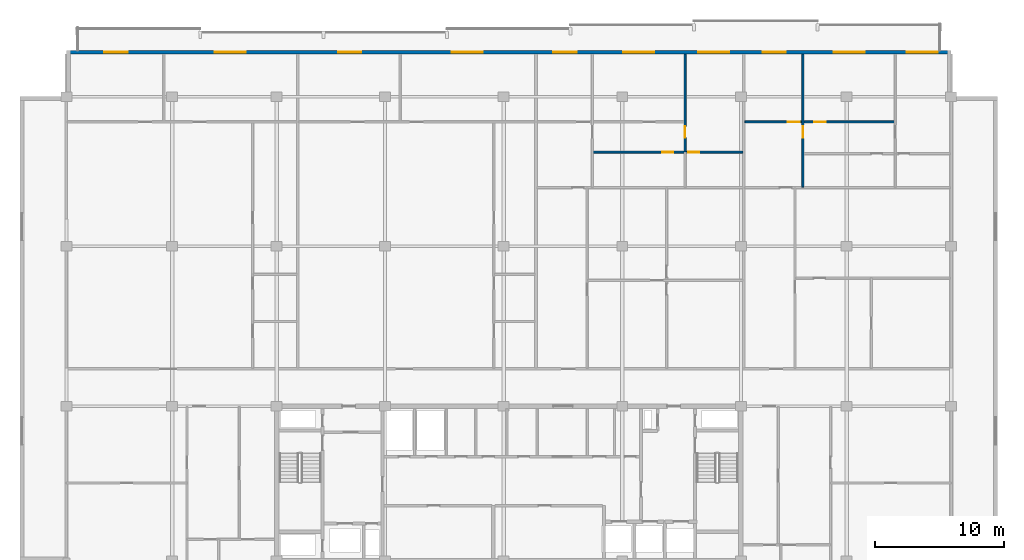
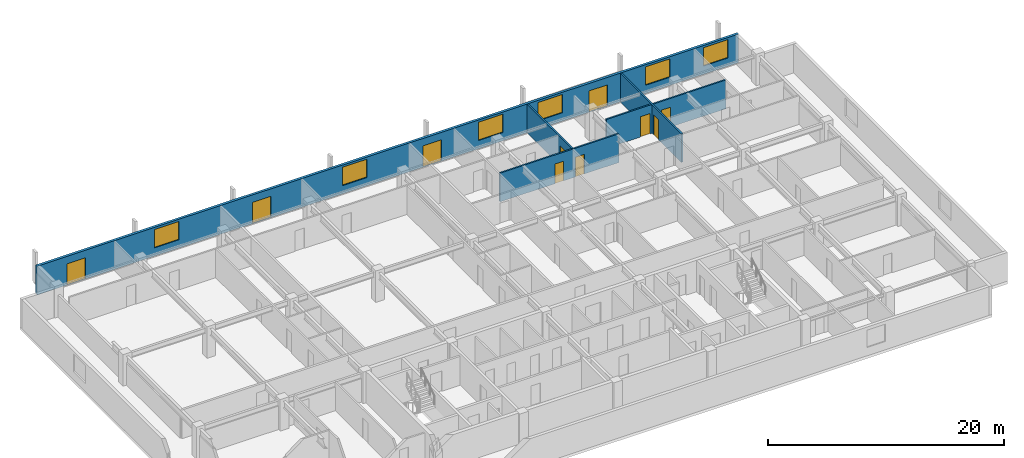
# One storey, part 23 of 30: 10 doors, 6 windows, 5 walls, 16 openings.
"""IFC4 building model written with IfcOpenShell, lengths in metres."""

from ifc_helpers import new_model, si_unit, direction, frame, frame_2d, origin, place, context, subcontext, project, spatial, rectangle, extrude, material, layer, layer_set, type_object, element, fill, save


model = new_model("IFC4")

# Units and contexts
model_context = context("Model", 3, precision=1e-05, world=origin(), true_north=direction((0.0, 1.0)))
body_context = subcontext(model_context, "Body", "Model", "MODEL_VIEW")
ifc_project = project(units=[si_unit("LENGTHUNIT", "METRE"), si_unit("AREAUNIT", "SQUARE_METRE"), si_unit("VOLUMEUNIT", "CUBIC_METRE"), si_unit("PLANEANGLEUNIT", "RADIAN"), si_unit("MASSUNIT", "GRAM", prefix="KILO")], contexts=[model_context])

# Site, building, storey
site_placement = place(None, origin())
site = spatial("IfcSite", under=ifc_project, at=site_placement, CompositionType="ELEMENT")
building_placement = place(site_placement, origin())
building = spatial("IfcBuilding", under=site, at=building_placement, Name="Korimba Cascade Residences", CompositionType="ELEMENT")
storey_placement = place(building_placement, frame((0.0, 0.0, 201.10009765625)))
storey = spatial("IfcBuildingStorey", under=building, at=storey_placement, Name="L58", CompositionType="ELEMENT", Elevation=201.10009765625)

# Wall, openings, doors, windows
ifc_material_1 = material(Name="Precast concrete C40/50", Category="concrete")
ifc_layer_1 = layer(ifc_material_1, 0.25)
ifc_layer_set_1 = layer_set([ifc_layer_1], Name="Precast concrete C40/50")
wall_type_1 = type_object("IfcWallType", Name="EW-LOG-250", PredefinedType="STANDARD", material=ifc_layer_set_1)
wall_1_placement = place(storey_placement, frame((128.39990234375, 94.64990234375, 0.0), z_axis=(0.0, 0.0, 1.0), x_axis=(-1.0, 0.0, 0.0)))
wall_1 = element("IfcWall", 1, at=wall_1_placement, inside=storey, type_object=wall_type_1, Name="L58 T1 Perimeter Stone Wall E06", PredefinedType="STANDARD", context=body_context, shape_type="SweptSolid", body=[
    extrude(rectangle(XDim=68.599853515625, YDim=0.25, at=frame_2d((34.2998046875, 0.0))), origin(), (0.0, 0.0, 1.0), 2.969970703125),
])
opening_1_placement = place(wall_1_placement, frame((63.8642578125, 0.0, 0.0)))
opening_1 = element("IfcOpeningElement", 2, at=opening_1_placement, cuts=wall_1, Name="Opening D-LG1", PredefinedType="OPENING", context=body_context, shape_type="SweptSolid", body=[
    extrude(rectangle(XDim=1.800048828125, YDim=2.199951171875, at=frame_2d((0.89990234375, 1.10009765625))), frame((0.0, 0.135009765625, 0.0), z_axis=(0.0, -1.0, 0.0), x_axis=(1.0, 0.0, 0.0)), (0.0, 0.0, 1.0), 0.27001953125),
])
opening_2_placement = place(wall_1_placement, frame((54.712646484375, 0.0, 0.85009765625)))
opening_2 = element("IfcOpeningElement", 3, at=opening_2_placement, cuts=wall_1, Name="Opening W-01", PredefinedType="OPENING", context=body_context, shape_type="SweptSolid", body=[
    extrude(rectangle(XDim=2.39990234375, YDim=1.89990234375, at=frame_2d((1.199951171875, 0.949951171875))), frame((0.0, 0.135009765625, 0.0), z_axis=(0.0, -1.0, 0.0), x_axis=(1.0, 0.0, 0.0)), (0.0, 0.0, 1.0), 0.27001953125),
])
opening_3_placement = place(wall_1_placement, frame((45.732177734375, 0.0, 0.0)))
opening_3 = element("IfcOpeningElement", 4, at=opening_3_placement, cuts=wall_1, Name="Opening D-LG1", PredefinedType="OPENING", context=body_context, shape_type="SweptSolid", body=[
    extrude(rectangle(XDim=1.800048828125, YDim=2.199951171875, at=frame_2d((0.89990234375, 1.10009765625))), frame((0.0, 0.135009765625, 0.0), z_axis=(0.0, -1.0, 0.0), x_axis=(1.0, 0.0, 0.0)), (0.0, 0.0, 1.0), 0.27001953125),
])
opening_4_placement = place(wall_1_placement, frame((36.318115234375, 0.0, 0.85009765625)))
opening_4 = element("IfcOpeningElement", 5, at=opening_4_placement, cuts=wall_1, Name="Opening W-01", PredefinedType="OPENING", context=body_context, shape_type="SweptSolid", body=[
    extrude(rectangle(XDim=2.39990234375, YDim=1.89990234375, at=frame_2d((1.199951171875, 0.949951171875))), frame((0.0, 0.135009765625, 0.0), z_axis=(0.0, -1.0, 0.0), x_axis=(1.0, 0.0, 0.0)), (0.0, 0.0, 1.0), 0.27001953125),
])
opening_5_placement = place(wall_1_placement, frame((23.021484375, 0.0, 0.85009765625)))
opening_5 = element("IfcOpeningElement", 6, at=opening_5_placement, cuts=wall_1, Name="Opening W-01", PredefinedType="OPENING", context=body_context, shape_type="SweptSolid", body=[
    extrude(rectangle(XDim=2.39990234375, YDim=1.89990234375, at=frame_2d((1.199951171875, 0.949951171875))), frame((0.0, 0.135009765625, 0.0), z_axis=(0.0, -1.0, 0.0), x_axis=(1.0, 0.0, 0.0)), (0.0, 0.0, 1.0), 0.27001953125),
])
opening_6_placement = place(wall_1_placement, frame((29.04345703125, 0.0, 0.0)))
opening_6 = element("IfcOpeningElement", 7, at=opening_6_placement, cuts=wall_1, Name="Opening D-LG1", PredefinedType="OPENING", context=body_context, shape_type="SweptSolid", body=[
    extrude(rectangle(XDim=1.800048828125, YDim=2.199951171875, at=frame_2d((0.89990234375, 1.10009765625))), frame((0.0, 0.135009765625, 0.0), z_axis=(0.0, -1.0, 0.0), x_axis=(1.0, 0.0, 0.0)), (0.0, 0.0, 1.0), 0.27001953125),
])
opening_7_placement = place(wall_1_placement, frame((17.20947265625, 0.0, 0.85009765625)))
opening_7 = element("IfcOpeningElement", 8, at=opening_7_placement, cuts=wall_1, Name="Opening W-01", PredefinedType="OPENING", context=body_context, shape_type="SweptSolid", body=[
    extrude(rectangle(XDim=2.39990234375, YDim=1.89990234375, at=frame_2d((1.199951171875, 0.949951171875))), frame((0.0, 0.135009765625, 0.0), z_axis=(0.0, -1.0, 0.0), x_axis=(1.0, 0.0, 0.0)), (0.0, 0.0, 1.0), 0.27001953125),
])
opening_8_placement = place(wall_1_placement, frame((6.712158203125, 0.0, 0.85009765625)))
opening_8 = element("IfcOpeningElement", 9, at=opening_8_placement, cuts=wall_1, Name="Opening W-01", PredefinedType="OPENING", context=body_context, shape_type="SweptSolid", body=[
    extrude(rectangle(XDim=2.39990234375, YDim=1.89990234375, at=frame_2d((1.199951171875, 0.949951171875))), frame((0.0, 0.135009765625, 0.0), z_axis=(0.0, -1.0, 0.0), x_axis=(1.0, 0.0, 0.0)), (0.0, 0.0, 1.0), 0.27001953125),
])
opening_9_placement = place(wall_1_placement, frame((12.824462890625, 0.0, 0.0)))
opening_9 = element("IfcOpeningElement", 10, at=opening_9_placement, cuts=wall_1, Name="Opening D-LG1", PredefinedType="OPENING", context=body_context, shape_type="SweptSolid", body=[
    extrude(rectangle(XDim=1.800048828125, YDim=2.199951171875, at=frame_2d((0.89990234375, 1.10009765625))), frame((0.0, 0.135009765625, 0.0), z_axis=(0.0, -1.0, 0.0), x_axis=(1.0, 0.0, 0.0)), (0.0, 0.0, 1.0), 0.27001953125),
])
opening_10_placement = place(wall_1_placement, frame((1.02490234375, 0.0, 0.85009765625)))
opening_10 = element("IfcOpeningElement", 11, at=opening_10_placement, cuts=wall_1, Name="Opening W-01", PredefinedType="OPENING", context=body_context, shape_type="SweptSolid", body=[
    extrude(rectangle(XDim=2.39990234375, YDim=1.89990234375, at=frame_2d((1.199951171875, 0.949951171875))), frame((0.0, 0.135009765625, 0.0), z_axis=(0.0, -1.0, 0.0), x_axis=(1.0, 0.0, 0.0)), (0.0, 0.0, 1.0), 0.27001953125),
])
ifc_material_2 = material(Name="Glazed Aluminium Loggia Sliding Door", Category="aluminium")
door_type_1 = type_object("IfcDoorType", Name="DR-EXT-LOG", OperationType="NOTDEFINED", PredefinedType="DOOR", material=ifc_material_2)
door_1_placement = place(opening_1_placement, origin())
door_1 = element("IfcDoor", 12, at=door_1_placement, inside=storey, type_object=door_type_1, Name="L58 T1 Loggia Sliding Door 3", OperationType="SLIDING_TO_LEFT", OverallHeight=2.199951171875, OverallWidth=1.800048828125, PredefinedType="DOOR", context=body_context, shape_type="SweptSolid", body=[
    extrude(rectangle(XDim=1.800048828125, YDim=2.199951171875, at=frame_2d((0.89990234375, 1.10009765625))), frame((0.0, 0.02490234375, 0.0), z_axis=(0.0, -1.0, 0.0), x_axis=(1.0, 0.0, 0.0)), (0.0, 0.0, 1.0), 0.050048828125),
])
fill(opening_1, door_1)
door_2_placement = place(opening_3_placement, origin())
door_2 = element("IfcDoor", 13, at=door_2_placement, inside=storey, type_object=door_type_1, Name="L58 T1 Loggia Sliding Door 5", OperationType="SLIDING_TO_LEFT", OverallHeight=2.199951171875, OverallWidth=1.800048828125, PredefinedType="DOOR", context=body_context, shape_type="SweptSolid", body=[
    extrude(rectangle(XDim=1.800048828125, YDim=2.199951171875, at=frame_2d((0.89990234375, 1.10009765625))), frame((0.0, 0.02490234375, 0.0), z_axis=(0.0, -1.0, 0.0), x_axis=(1.0, 0.0, 0.0)), (0.0, 0.0, 1.0), 0.050048828125),
])
fill(opening_3, door_2)
door_3_placement = place(opening_6_placement, origin())
door_3 = element("IfcDoor", 14, at=door_3_placement, inside=storey, type_object=door_type_1, Name="L58 T1 Loggia Sliding Door 8", OperationType="SLIDING_TO_LEFT", OverallHeight=2.199951171875, OverallWidth=1.800048828125, PredefinedType="DOOR", context=body_context, shape_type="SweptSolid", body=[
    extrude(rectangle(XDim=1.800048828125, YDim=2.199951171875, at=frame_2d((0.89990234375, 1.10009765625))), frame((0.0, 0.02490234375, 0.0), z_axis=(0.0, -1.0, 0.0), x_axis=(1.0, 0.0, 0.0)), (0.0, 0.0, 1.0), 0.050048828125),
])
fill(opening_6, door_3)
door_4_placement = place(opening_9_placement, origin())
door_4 = element("IfcDoor", 15, at=door_4_placement, inside=storey, type_object=door_type_1, Name="L58 T1 Loggia Sliding Door 11", OperationType="SLIDING_TO_LEFT", OverallHeight=2.199951171875, OverallWidth=1.800048828125, PredefinedType="DOOR", context=body_context, shape_type="SweptSolid", body=[
    extrude(rectangle(XDim=1.800048828125, YDim=2.199951171875, at=frame_2d((0.89990234375, 1.10009765625))), frame((0.0, 0.02490234375, 0.0), z_axis=(0.0, -1.0, 0.0), x_axis=(1.0, 0.0, 0.0)), (0.0, 0.0, 1.0), 0.050048828125),
])
fill(opening_9, door_4)
ifc_material_3 = material(Name="Double-Glazed Aluminium Window", Category="aluminium")
window_type = type_object("IfcWindowType", Name="WIN-RES-2400", PartitioningType="DOUBLE_PANEL_VERTICAL", PredefinedType="WINDOW", material=ifc_material_3)
window_1_placement = place(opening_2_placement, origin())
window_1 = element("IfcWindow", 16, at=window_1_placement, inside=storey, type_object=window_type, Name="L58 T1 North Facade Window 4", OverallHeight=1.89990234375, OverallWidth=2.39990234375, PartitioningType="DOUBLE_PANEL_VERTICAL", PredefinedType="WINDOW", context=body_context, shape_type="SweptSolid", body=[
    extrude(rectangle(XDim=2.39990234375, YDim=1.89990234375, at=frame_2d((1.199951171875, 0.949951171875))), frame((0.0, 0.030029296875, 0.0), z_axis=(0.0, -1.0, 0.0), x_axis=(1.0, 0.0, 0.0)), (0.0, 0.0, 1.0), 0.06005859375),
])
fill(opening_2, window_1)
window_2_placement = place(opening_4_placement, origin())
window_2 = element("IfcWindow", 17, at=window_2_placement, inside=storey, type_object=window_type, Name="L58 T1 North Facade Window 6", OverallHeight=1.89990234375, OverallWidth=2.39990234375, PartitioningType="DOUBLE_PANEL_VERTICAL", PredefinedType="WINDOW", context=body_context, shape_type="SweptSolid", body=[
    extrude(rectangle(XDim=2.39990234375, YDim=1.89990234375, at=frame_2d((1.199951171875, 0.949951171875))), frame((0.0, 0.030029296875, 0.0), z_axis=(0.0, -1.0, 0.0), x_axis=(1.0, 0.0, 0.0)), (0.0, 0.0, 1.0), 0.06005859375),
])
fill(opening_4, window_2)
window_3_placement = place(opening_5_placement, origin())
window_3 = element("IfcWindow", 18, at=window_3_placement, inside=storey, type_object=window_type, Name="L58 T1 North Facade Window 7", OverallHeight=1.89990234375, OverallWidth=2.39990234375, PartitioningType="DOUBLE_PANEL_VERTICAL", PredefinedType="WINDOW", context=body_context, shape_type="SweptSolid", body=[
    extrude(rectangle(XDim=2.39990234375, YDim=1.89990234375, at=frame_2d((1.199951171875, 0.949951171875))), frame((0.0, 0.030029296875, 0.0), z_axis=(0.0, -1.0, 0.0), x_axis=(1.0, 0.0, 0.0)), (0.0, 0.0, 1.0), 0.06005859375),
])
fill(opening_5, window_3)
window_4_placement = place(opening_7_placement, origin())
window_4 = element("IfcWindow", 19, at=window_4_placement, inside=storey, type_object=window_type, Name="L58 T1 North Facade Window 9", OverallHeight=1.89990234375, OverallWidth=2.39990234375, PartitioningType="DOUBLE_PANEL_VERTICAL", PredefinedType="WINDOW", context=body_context, shape_type="SweptSolid", body=[
    extrude(rectangle(XDim=2.39990234375, YDim=1.89990234375, at=frame_2d((1.199951171875, 0.949951171875))), frame((0.0, 0.030029296875, 0.0), z_axis=(0.0, -1.0, 0.0), x_axis=(1.0, 0.0, 0.0)), (0.0, 0.0, 1.0), 0.06005859375),
])
fill(opening_7, window_4)
window_5_placement = place(opening_8_placement, origin())
window_5 = element("IfcWindow", 20, at=window_5_placement, inside=storey, type_object=window_type, Name="L58 T1 North Facade Window 10", OverallHeight=1.89990234375, OverallWidth=2.39990234375, PartitioningType="DOUBLE_PANEL_VERTICAL", PredefinedType="WINDOW", context=body_context, shape_type="SweptSolid", body=[
    extrude(rectangle(XDim=2.39990234375, YDim=1.89990234375, at=frame_2d((1.199951171875, 0.949951171875))), frame((0.0, 0.030029296875, 0.0), z_axis=(0.0, -1.0, 0.0), x_axis=(1.0, 0.0, 0.0)), (0.0, 0.0, 1.0), 0.06005859375),
])
fill(opening_8, window_5)
window_6_placement = place(opening_10_placement, origin())
window_6 = element("IfcWindow", 21, at=window_6_placement, inside=storey, type_object=window_type, Name="L58 T1 North Facade Window 12", OverallHeight=1.89990234375, OverallWidth=2.39990234375, PartitioningType="DOUBLE_PANEL_VERTICAL", PredefinedType="WINDOW", context=body_context, shape_type="SweptSolid", body=[
    extrude(rectangle(XDim=2.39990234375, YDim=1.89990234375, at=frame_2d((1.199951171875, 0.949951171875))), frame((0.0, 0.030029296875, 0.0), z_axis=(0.0, -1.0, 0.0), x_axis=(1.0, 0.0, 0.0)), (0.0, 0.0, 1.0), 0.06005859375),
])
fill(opening_10, window_6)

# Wall, opening, door
ifc_material_4 = material(Name="Insulated Acoustic Stud Partition", Category="gypsum")
ifc_layer_2 = layer(ifc_material_4, 0.14990234375)
ifc_layer_set_2 = layer_set([ifc_layer_2], Name="Insulated Acoustic Stud Partition")
wall_type_2 = type_object("IfcWallType", Name="WAL-PART-150", PredefinedType="PARTITIONING", material=ifc_layer_set_2)
wall_2_placement = place(storey_placement, frame((107.775634765625, 86.919921875, 0.0), z_axis=(0.0, 0.0, 1.0), x_axis=(0.0, 1.0, 0.0)))
wall_2 = element("IfcWall", 22, at=wall_2_placement, inside=storey, type_object=wall_type_2, Name="L58 Partition Wall WAL-L58-T1-U03-V2FULL", PredefinedType="PARTITIONING", context=body_context, shape_type="SweptSolid", body=[
    extrude(rectangle(XDim=7.580078125, YDim=0.14990234375, at=frame_2d((3.7900390625, 0.0))), origin(), (0.0, 0.0, 1.0), 2.969970703125),
])
opening_11_placement = place(wall_2_placement, frame((1.090087890625, 0.0, 0.0)))
opening_11 = element("IfcOpeningElement", 23, at=opening_11_placement, cuts=wall_2, Name="Opening D-IN1", PredefinedType="OPENING", context=body_context, shape_type="SweptSolid", body=[
    extrude(rectangle(XDim=0.919921875, YDim=2.080078125, at=frame_2d((0.4599609375, 1.0400390625))), frame((0.0, 0.0849609375, 0.0), z_axis=(0.0, -1.0, 0.0), x_axis=(1.0, 0.0, 0.0)), (0.0, 0.0, 1.0), 0.169921875),
])
ifc_material_5 = material(Name="Acoustic Timber Living Door", Category="wood")
door_type_2 = type_object("IfcDoorType", Name="DR-INT-920", OperationType="NOTDEFINED", PredefinedType="DOOR", material=ifc_material_5)
door_5_placement = place(opening_11_placement, origin())
door_5 = element("IfcDoor", 24, at=door_5_placement, inside=storey, type_object=door_type_2, Name="L58-T1-U03 Master Bedroom Door", OperationType="SINGLE_SWING_LEFT", OverallHeight=2.080078125, OverallWidth=0.919921875, PredefinedType="DOOR", context=body_context, shape_type="SweptSolid", body=[
    extrude(rectangle(XDim=0.919921875, YDim=2.080078125, at=frame_2d((0.4599609375, 1.0400390625))), frame((0.0, 0.02490234375, 0.0), z_axis=(0.0, -1.0, 0.0), x_axis=(1.0, 0.0, 0.0)), (0.0, 0.0, 1.0), 0.050048828125),
])
fill(opening_11, door_5)

# Wall, openings, doors
wall_3_placement = place(storey_placement, frame((100.62158203125, 86.89990234375, 0.0), z_axis=(0.0, 0.0, 1.0), x_axis=(1.0, 0.0, 0.0)))
wall_3 = element("IfcWall", 25, at=wall_3_placement, inside=storey, type_object=wall_type_2, Name="L58 Partition Wall WAL-L58-T1-U03-HWALL", PredefinedType="PARTITIONING", context=body_context, shape_type="SweptSolid", body=[
    extrude(rectangle(XDim=11.6240234375, YDim=0.14990234375, at=frame_2d((5.81201171875, 0.0))), origin(), (0.0, 0.0, 1.0), 2.969970703125),
])
opening_12_placement = place(wall_3_placement, frame((5.39208984375, 0.0, 0.0)))
opening_12 = element("IfcOpeningElement", 26, at=opening_12_placement, cuts=wall_3, Name="Opening D-BT1", PredefinedType="OPENING", context=body_context, shape_type="SweptSolid", body=[
    extrude(rectangle(XDim=0.840087890625, YDim=2.0400390625, at=frame_2d((0.419921875, 1.02001953125))), frame((0.0, 0.0849609375, 0.0), z_axis=(0.0, -1.0, 0.0), x_axis=(1.0, 0.0, 0.0)), (0.0, 0.0, 1.0), 0.169921875),
])
opening_13_placement = place(wall_3_placement, frame((7.404052734375, 0.0, 0.0)))
opening_13 = element("IfcOpeningElement", 27, at=opening_13_placement, cuts=wall_3, Name="Opening D-BT1", PredefinedType="OPENING", context=body_context, shape_type="SweptSolid", body=[
    extrude(rectangle(XDim=0.840087890625, YDim=2.0400390625, at=frame_2d((0.419921875, 1.02001953125))), frame((0.0, 0.0849609375, 0.0), z_axis=(0.0, -1.0, 0.0), x_axis=(1.0, 0.0, 0.0)), (0.0, 0.0, 1.0), 0.169921875),
])
ifc_material_6 = material(Name="Moisture-Resistant Bathroom Timber Door", Category="wood")
door_type_3 = type_object("IfcDoorType", Name="DR-INT-850", OperationType="NOTDEFINED", PredefinedType="DOOR", material=ifc_material_6)
door_6_placement = place(opening_12_placement, origin())
door_6 = element("IfcDoor", 28, at=door_6_placement, inside=storey, type_object=door_type_3, Name="L58-T1-U03 Family Bathroom Door", OperationType="SINGLE_SWING_RIGHT", OverallHeight=2.0400390625, OverallWidth=0.840087890625, PredefinedType="DOOR", context=body_context, shape_type="SweptSolid", body=[
    extrude(rectangle(XDim=0.840087890625, YDim=2.0400390625, at=frame_2d((0.419921875, 1.02001953125))), frame((0.0, 0.02490234375, 0.0), z_axis=(0.0, -1.0, 0.0), x_axis=(1.0, 0.0, 0.0)), (0.0, 0.0, 1.0), 0.050048828125),
])
fill(opening_12, door_6)
door_7_placement = place(opening_13_placement, origin())
door_7 = element("IfcDoor", 29, at=door_7_placement, inside=storey, type_object=door_type_3, Name="L58-T1-U03 En-Suite Door", OperationType="SINGLE_SWING_LEFT", OverallHeight=2.0400390625, OverallWidth=0.840087890625, PredefinedType="DOOR", context=body_context, shape_type="SweptSolid", body=[
    extrude(rectangle(XDim=0.840087890625, YDim=2.0400390625, at=frame_2d((0.419921875, 1.02001953125))), frame((0.0, 0.02490234375, 0.0), z_axis=(0.0, -1.0, 0.0), x_axis=(1.0, 0.0, 0.0)), (0.0, 0.0, 1.0), 0.050048828125),
])
fill(opening_13, door_7)

# Wall, opening, door
wall_4_placement = place(storey_placement, frame((116.905517578125, 84.18994140625, 0.0), z_axis=(0.0, 0.0, 1.0), x_axis=(0.0, 1.0, 0.0)))
wall_4 = element("IfcWall", 30, at=wall_4_placement, inside=storey, type_object=wall_type_2, Name="L58 Partition Wall WAL-L58-T1-U04-V1", PredefinedType="PARTITIONING", context=body_context, shape_type="SweptSolid", body=[
    extrude(rectangle(XDim=10.31005859375, YDim=0.14990234375, at=frame_2d((5.155029296875, 0.0))), origin(), (0.0, 0.0, 1.0), 2.969970703125),
])
opening_14_placement = place(wall_4_placement, frame((3.820068359375, 0.0, 0.0)))
opening_14 = element("IfcOpeningElement", 31, at=opening_14_placement, cuts=wall_4, Name="Opening D-IN1", PredefinedType="OPENING", context=body_context, shape_type="SweptSolid", body=[
    extrude(rectangle(XDim=0.919921875, YDim=2.080078125, at=frame_2d((0.4599609375, 1.0400390625))), frame((0.0, 0.0849609375, 0.0), z_axis=(0.0, -1.0, 0.0), x_axis=(1.0, 0.0, 0.0)), (0.0, 0.0, 1.0), 0.169921875),
])
door_8_placement = place(opening_14_placement, origin())
door_8 = element("IfcDoor", 32, at=door_8_placement, inside=storey, type_object=door_type_2, Name="L58-T1-U04 Hallway Door", OperationType="SINGLE_SWING_RIGHT", OverallHeight=2.080078125, OverallWidth=0.919921875, PredefinedType="DOOR", context=body_context, shape_type="SweptSolid", body=[
    extrude(rectangle(XDim=0.919921875, YDim=2.080078125, at=frame_2d((0.4599609375, 1.0400390625))), frame((0.0, 0.02490234375, 0.0), z_axis=(0.0, -1.0, 0.0), x_axis=(1.0, 0.0, 0.0)), (0.0, 0.0, 1.0), 0.050048828125),
])
fill(opening_14, door_8)

# Wall, openings, doors
wall_5_placement = place(storey_placement, frame((112.405517578125, 89.25, 0.0), z_axis=(0.0, 0.0, 1.0), x_axis=(1.0, 0.0, 0.0)))
wall_5 = element("IfcWall", 33, at=wall_5_placement, inside=storey, type_object=wall_type_2, Name="L58 Partition Wall WAL-L58-T1-U04-HZ", PredefinedType="PARTITIONING", context=body_context, shape_type="SweptSolid", body=[
    extrude(rectangle(XDim=11.66455078125, YDim=0.14990234375, at=frame_2d((5.832275390625, 0.0))), origin(), (0.0, 0.0, 1.0), 2.969970703125),
])
opening_15_placement = place(wall_5_placement, frame((3.31005859375, 0.0, 0.0)))
opening_15 = element("IfcOpeningElement", 34, at=opening_15_placement, cuts=wall_5, Name="Opening D-IN0", PredefinedType="OPENING", context=body_context, shape_type="SweptSolid", body=[
    extrude(rectangle(XDim=0.93994140625, YDim=2.10009765625, at=frame_2d((0.469970703125, 1.050048828125))), frame((0.0, 0.0849609375, 0.0), z_axis=(0.0, -1.0, 0.0), x_axis=(1.0, 0.0, 0.0)), (0.0, 0.0, 1.0), 0.169921875),
])
opening_16_placement = place(wall_5_placement, frame((5.39208984375, 0.0, 0.0)))
opening_16 = element("IfcOpeningElement", 35, at=opening_16_placement, cuts=wall_5, Name="Opening D-IN2", PredefinedType="OPENING", context=body_context, shape_type="SweptSolid", body=[
    extrude(rectangle(XDim=0.8798828125, YDim=2.06005859375, at=frame_2d((0.43994140625, 1.030029296875))), frame((0.0, 0.0849609375, 0.0), z_axis=(0.0, -1.0, 0.0), x_axis=(1.0, 0.0, 0.0)), (0.0, 0.0, 1.0), 0.169921875),
])
ifc_material_7 = material(Name="Acoustic Timber Bedroom Door", Category="wood")
door_type_4 = type_object("IfcDoorType", Name="DR-INT-880", OperationType="NOTDEFINED", PredefinedType="DOOR", material=ifc_material_7)
door_9_placement = place(opening_16_placement, origin())
door_9 = element("IfcDoor", 36, at=door_9_placement, inside=storey, type_object=door_type_4, Name="L58-T1-U04 Bedroom 2 Door", OperationType="SINGLE_SWING_RIGHT", OverallHeight=2.06005859375, OverallWidth=0.8798828125, PredefinedType="DOOR", context=body_context, shape_type="SweptSolid", body=[
    extrude(rectangle(XDim=0.8798828125, YDim=2.06005859375, at=frame_2d((0.43994140625, 1.030029296875))), frame((0.0, 0.02490234375, 0.0), z_axis=(0.0, -1.0, 0.0), x_axis=(1.0, 0.0, 0.0)), (0.0, 0.0, 1.0), 0.050048828125),
])
fill(opening_16, door_9)
ifc_material_8 = material(Name="Acoustic Timber Living Archway Door", Category="wood")
door_type_5 = type_object("IfcDoorType", Name="DR-INT-950", OperationType="NOTDEFINED", PredefinedType="DOOR", material=ifc_material_8)
door_10_placement = place(opening_15_placement, origin())
door_10 = element("IfcDoor", 37, at=door_10_placement, inside=storey, type_object=door_type_5, Name="L58-T1-U04 Living Room Door", OperationType="SINGLE_SWING_LEFT", OverallHeight=2.10009765625, OverallWidth=0.93994140625, PredefinedType="DOOR", context=body_context, shape_type="SweptSolid", body=[
    extrude(rectangle(XDim=0.93994140625, YDim=2.10009765625, at=frame_2d((0.469970703125, 1.050048828125))), frame((0.0, 0.02490234375, 0.0), z_axis=(0.0, -1.0, 0.0), x_axis=(1.0, 0.0, 0.0)), (0.0, 0.0, 1.0), 0.050048828125),
])
fill(opening_15, door_10)

save(model, "model.ifc")
